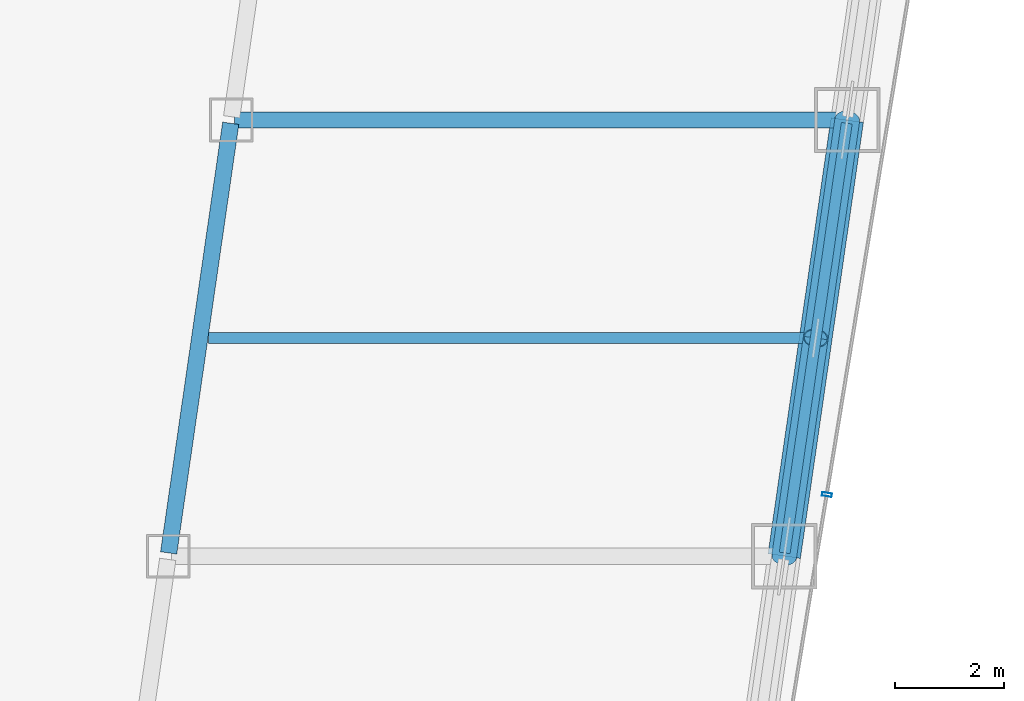
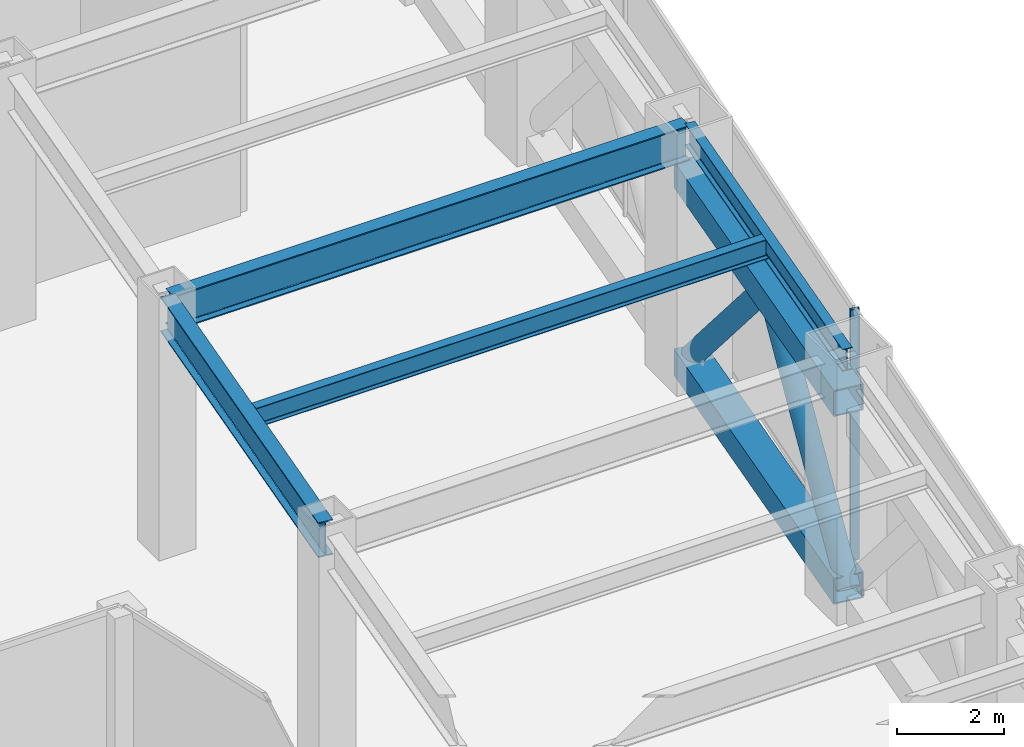
# One storey, part 15 of 35: 5 members, 4 beams, 1 element without a shape of its own.
"""IFC4 building model written with IfcOpenShell, lengths in metres."""

from ifc_helpers import new_model, si_unit, direction, frame, origin, origin_2d, place, context, subcontext, project, spatial, hollow_rectangle, hollow_circle, i_section, extrude, material, material_profile, profile_set, type_object, element, aggregate, save


model = new_model("IFC4")

# Units and contexts
model_context = context("Model", 3, precision=1e-05, world=origin(), true_north=direction((0.0, 1.0)))
body_context = subcontext(model_context, "Body", "Model", "MODEL_VIEW")
ifc_project = project(units=[si_unit("LENGTHUNIT", "METRE"), si_unit("AREAUNIT", "SQUARE_METRE"), si_unit("VOLUMEUNIT", "CUBIC_METRE"), si_unit("PLANEANGLEUNIT", "RADIAN"), si_unit("MASSUNIT", "GRAM", prefix="KILO")], contexts=[model_context])

# Site, building, storey
site_placement = place(None, origin())
site = spatial("IfcSite", under=ifc_project, at=site_placement, CompositionType="ELEMENT")
building_placement = place(site_placement, origin())
building = spatial("IfcBuilding", under=site, at=building_placement, Name="Saevonmaru Cultural Tower", CompositionType="ELEMENT")
storey_placement = place(building_placement, frame((0.0, 0.0, 86.800048828125)))
storey = spatial("IfcBuildingStorey", under=building, at=storey_placement, Name="L18", CompositionType="ELEMENT", Elevation=86.800048828125)

# Beams
ifc_material_1 = material(Name="Steel SM420", Category="steel")
ifc_material_profile_1 = material_profile(ifc_material_1, i_section(OverallWidth=0.300048828125, OverallDepth=0.800048828125, WebThickness=0.013916015625, FlangeThickness=0.02587890625, FilletRadius=0.028076171875, at=origin_2d()), Name="H-800x300x14x26")
ifc_profile_set_1 = profile_set([ifc_material_profile_1], Name="Steel SM420")
beam_type_1 = type_object("IfcBeamType", Name="BM-G-H800", PredefinedType="BEAM", material=ifc_profile_set_1)
beam_1_placement = place(storey_placement, frame((38.08056640625, 16.059326171875, 5.349853515625), z_axis=(0.143022161059, 0.989719486241, 0.0), x_axis=(-0.989719486241, 0.143022161059, 0.0)))
element("IfcBeam", 1, at=beam_1_placement, inside=storey, type_object=beam_type_1, Name="L18 East Atrium Girder 3", PredefinedType="BEAM", context=body_context, shape_type="SweptSolid", body=[
    extrude(i_section(OverallWidth=0.300048828125, OverallDepth=0.800048828125, WebThickness=0.013916015625, FlangeThickness=0.02587890625, FilletRadius=0.028076171875, at=origin_2d()), origin(), (0.0, 0.0, 1.0), 7.963134765625),
])
beam_2_placement = place(storey_placement, frame((39.2880859375, 24.0, 5.349853515625), z_axis=(1.0, 0.0, 0.0), x_axis=(0.0, 1.0, 0.0)))
element("IfcBeam", 2, at=beam_2_placement, inside=storey, type_object=beam_type_1, Name="L18 East Wing Transverse Girder 4", PredefinedType="BEAM", context=body_context, shape_type="SweptSolid", body=[
    extrude(i_section(OverallWidth=0.300048828125, OverallDepth=0.800048828125, WebThickness=0.013916015625, FlangeThickness=0.02587890625, FilletRadius=0.028076171875, at=origin_2d()), origin(), (0.0, 0.0, 1.0), 11.179931640625),
])
ifc_material_2 = material(Name="Steel SM355", Category="steel")
ifc_material_profile_2 = material_profile(ifc_material_2, i_section(OverallWidth=0.199951171875, OverallDepth=0.449951171875, WebThickness=0.009033203125, FlangeThickness=0.013916015625, FilletRadius=0.01806640625, at=origin_2d()), Name="H-450x200x9x14")
ifc_profile_set_2 = profile_set([ifc_material_profile_2], Name="Steel SM355")
beam_type_2 = type_object("IfcBeamType", Name="BM-J-H450", PredefinedType="JOIST", material=ifc_profile_set_2)
beam_3_placement = place(storey_placement, frame((38.80810546875, 20.0, 5.52490234375), z_axis=(1.0, 0.0, 0.0), x_axis=(0.0, 1.0, 0.0)))
element("IfcBeam", 3, at=beam_3_placement, inside=storey, type_object=beam_type_2, Name="L18 East Wing Floor Joist 3", PredefinedType="JOIST", context=body_context, shape_type="SweptSolid", body=[
    extrude(i_section(OverallWidth=0.199951171875, OverallDepth=0.449951171875, WebThickness=0.009033203125, FlangeThickness=0.013916015625, FilletRadius=0.01806640625, at=origin_2d()), origin(), (0.0, 0.0, 1.0), 11.081787109375),
])
ifc_material_profile_3 = material_profile(ifc_material_2, i_section(OverallWidth=0.199951171875, OverallDepth=0.5, WebThickness=0.010009765625, FlangeThickness=0.01611328125, FilletRadius=0.02001953125, at=origin_2d()), Name="H-500x200x10x16")
ifc_profile_set_3 = profile_set([ifc_material_profile_3], Name="Steel SM355")
beam_type_3 = type_object("IfcBeamType", Name="BM-SP-H500", PredefinedType="SPANDREL", material=ifc_profile_set_3)
beam_4_placement = place(storey_placement, frame((49.380615234375, 16.059326171875, 5.5), z_axis=(0.142992129437, 0.989723825579, 0.0), x_axis=(-0.989723825579, 0.142992129437, 0.0)))
element("IfcBeam", 4, at=beam_4_placement, inside=storey, type_object=beam_type_3, Name="L18 East Splayed Spandrel 3", PredefinedType="SPANDREL", context=body_context, shape_type="SweptSolid", body=[
    extrude(i_section(OverallWidth=0.199951171875, OverallDepth=0.5, WebThickness=0.010009765625, FlangeThickness=0.01611328125, FilletRadius=0.02001953125, at=origin_2d()), origin(), (0.0, 0.0, 1.0), 7.963134765625),
])

# Members
ifc_material_profile_4 = material_profile(ifc_material_1, hollow_circle(Radius=0.228515625, WallThickness=0.02001953125, at=origin_2d()), Name="CHS-457.2x20")
ifc_profile_set_4 = profile_set([ifc_material_profile_4], Name="Steel SM420")
member_type_1 = type_object("IfcMemberType", Name="MB-BBR-CHS457", PredefinedType="BRACE", material=ifc_profile_set_4)
for number, where, z_axis, x_axis, name in (
    (5, (49.3720703125, 16.0, 0.300048828125), (0.09792865543, 0.67784667958, 0.728652082566), (-0.989724747682, 0.142985746934, 0.0), "L18 Belt Truss Diagonal BE3-1"),
    (6, (50.528076171875, 24.0, 0.300048828125), (-0.097969630896, -0.677843932686, 0.728649129789), (0.989716197255, -0.143044919135, 0.0), "L18 Belt Truss Diagonal BE3-2"),
):
    element("IfcMember", number, at=place(storey_placement, frame(where, z_axis=z_axis, x_axis=x_axis)), inside=storey, type_object=member_type_1, Name=name, PredefinedType="BRACE", context=body_context, shape_type="SweptSolid", body=[
        extrude(hollow_circle(Radius=0.228515625, WallThickness=0.02001953125, at=origin_2d()), origin(), (0.0, 0.0, 1.0), 5.901123046875),
    ])
ifc_material_profile_5 = material_profile(ifc_material_1, hollow_rectangle(XDim=0.60009765625, YDim=0.60009765625, WallThickness=0.028076171875, at=origin_2d()), Name="BOX-600x600x28")
ifc_profile_set_5 = profile_set([ifc_material_profile_5], Name="Steel SM420")
member_type_2 = type_object("IfcMemberType", Name="MB-BCH-BOX600", PredefinedType="CHORD", material=ifc_profile_set_5)
for number, where, z_axis, x_axis, name in (
    (7, (49.3720703125, 16.0, 0.300048828125), (0.143015333226, 0.989720472892, 0.0), (-0.989720472892, 0.143015333226, 0.0), "L18 Belt Truss Bottom Chord BE3"),
    (8, (49.3720703125, 16.0, 4.599853515625), (0.143015333226, 0.989720472892, 0.0), (-0.989720472892, 0.143015333226, 0.0), "L18 Belt Truss Top Chord BE3"),
):
    element("IfcMember", number, at=place(storey_placement, frame(where, z_axis=z_axis, x_axis=x_axis)), inside=storey, type_object=member_type_2, Name=name, PredefinedType="CHORD", context=body_context, shape_type="SweptSolid", body=[
        extrude(hollow_rectangle(XDim=0.60009765625, YDim=0.60009765625, WallThickness=0.028076171875, at=origin_2d()), origin(), (0.0, 0.0, 1.0), 8.0830078125),
    ])

# Curtain wall, member
ifc_material_3 = material(Name="Satin Bronze Anodised Aluminium", Category="aluminium")
curtain_wall_type = type_object("IfcCurtainWallType", Name="CW-TYP-A", PredefinedType="NOTDEFINED", material=ifc_material_3)
curtain_wall_placement = place(storey_placement, origin())
curtain_wall = element("IfcCurtainWall", 9, at=curtain_wall_placement, inside=storey, type_object=curtain_wall_type, Name="L18 Wind-Floor Acoustic Louvre Screen E8", PredefinedType="NOTDEFINED")
ifc_material_profile_6 = material_profile(ifc_material_3, hollow_rectangle(XDim=0.06494140625, YDim=0.179931640625, WallThickness=0.00390625, at=origin_2d()), Name="ALU-MULL-180x65x4")
ifc_profile_set_6 = profile_set([ifc_material_profile_6], Name="Satin Bronze Anodised Aluminium")
member_type_3 = type_object("IfcMemberType", Name="ML-CW-180x65", PredefinedType="MULLION", material=ifc_profile_set_6)
member_placement = place(storey_placement, frame((50.15478515625, 17.129638671875, 0.0), z_axis=(0.0, 0.0, 1.0), x_axis=(0.161708868641, 0.986838508472, 0.0)))
member = element("IfcMember", 10, at=member_placement, type_object=member_type_3, Name="CW-TW-L18-E8 mullion 2", PredefinedType="MULLION", context=body_context, shape_type="SweptSolid", body=[
    extrude(hollow_rectangle(XDim=0.06494140625, YDim=0.179931640625, WallThickness=0.00390625, at=origin_2d()), origin(), (0.0, 0.0, 1.0), 5.75),
])
aggregate(curtain_wall, [member])

save(model, "model.ifc")
